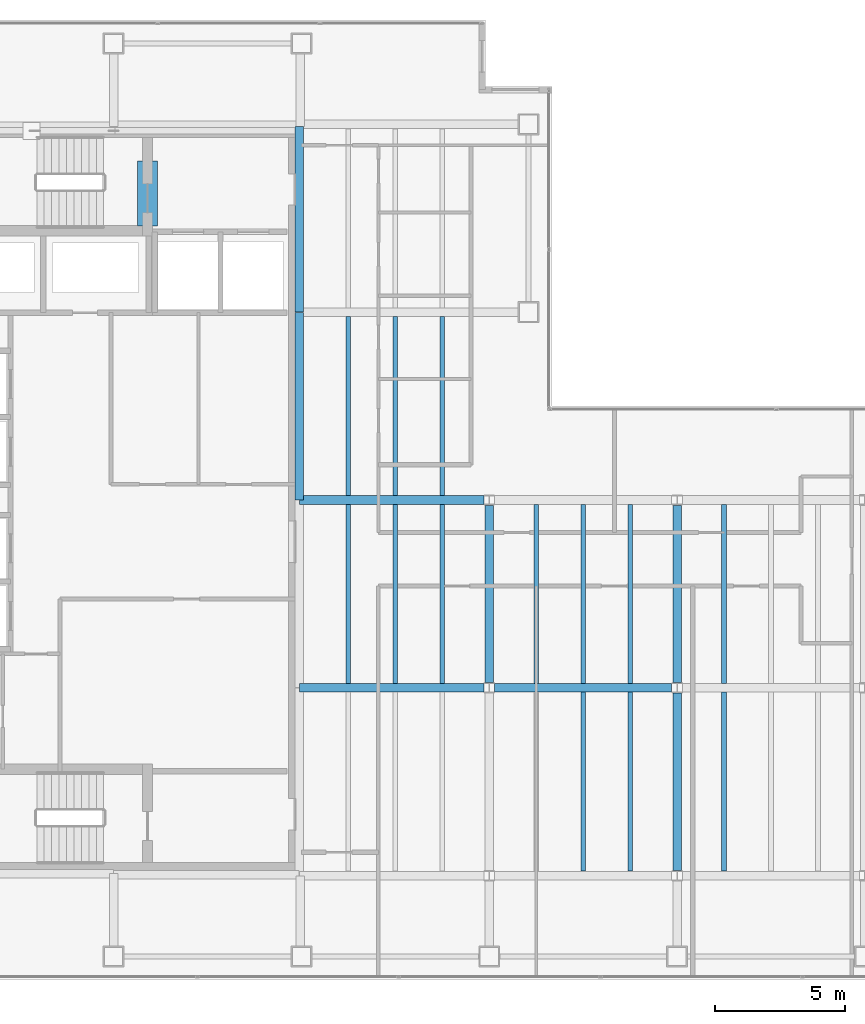
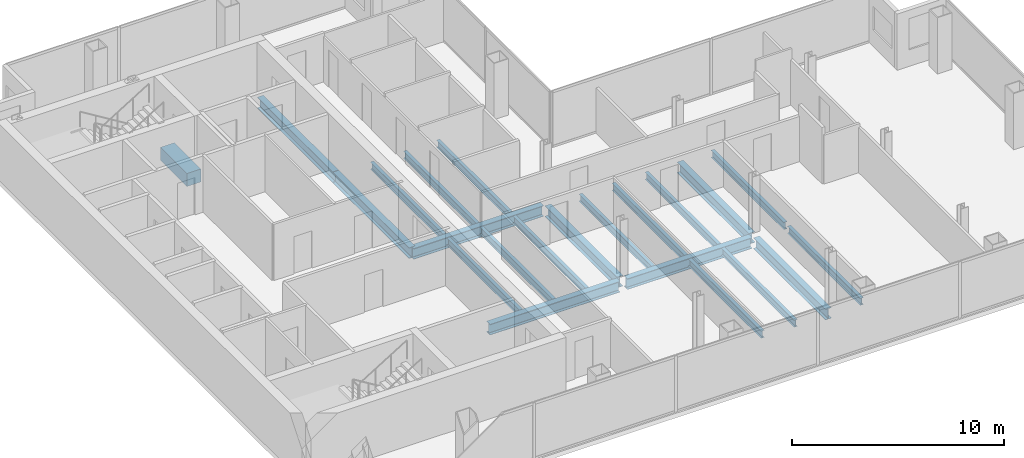
# One storey, part 7 of 23: 22 beams.
"""IFC4 building model written with IfcOpenShell, lengths in metres."""

from ifc_helpers import new_model, si_unit, direction, frame, origin, origin_2d, place, context, subcontext, project, spatial, rectangle, i_section, extrude, material, material_profile, profile_set, type_object, element, save


model = new_model("IFC4")

# Units and contexts
model_context = context("Model", 3, precision=1e-05, world=origin(), true_north=direction((0.0, 1.0)))
body_context = subcontext(model_context, "Body", "Model", "MODEL_VIEW")
ifc_project = project(units=[si_unit("LENGTHUNIT", "METRE"), si_unit("AREAUNIT", "SQUARE_METRE"), si_unit("VOLUMEUNIT", "CUBIC_METRE"), si_unit("PLANEANGLEUNIT", "RADIAN"), si_unit("MASSUNIT", "GRAM", prefix="KILO")], contexts=[model_context])

# Site, building, storey
site_placement = place(None, origin())
site = spatial("IfcSite", under=ifc_project, at=site_placement, CompositionType="ELEMENT")
building_placement = place(site_placement, origin())
building = spatial("IfcBuilding", under=site, at=building_placement, Name="Cobrela Telecom Tower", CompositionType="ELEMENT")
storey_placement = place(building_placement, frame((0.0, 0.0, 190.75)))
storey = spatial("IfcBuildingStorey", under=building, at=storey_placement, Name="L48", CompositionType="ELEMENT", Elevation=190.75)

# Beams
ifc_material_1 = material(Name="Concrete C40/50", Category="concrete")
ifc_material_profile_1 = material_profile(ifc_material_1, rectangle(XDim=0.75, YDim=0.75, at=origin_2d()), Name="RC 750x750")
ifc_profile_set_1 = profile_set([ifc_material_profile_1], Name="Concrete C40/50")
beam_type_1 = type_object("IfcBeamType", Name="BM-COUP-RC", PredefinedType="LINTEL", material=ifc_profile_set_1)
beam_1_placement = place(storey_placement, frame((8.5, 32.10009765625, -0.610107421875), z_axis=(0.0, 1.0, 0.0), x_axis=(-1.0, 0.0, 0.0)))
element("IfcBeam", 1, at=beam_1_placement, inside=storey, type_object=beam_type_1, Name="L48 Core Coupling Lintel Beam", PredefinedType="LINTEL", context=body_context, shape_type="SweptSolid", body=[
    extrude(rectangle(XDim=0.75, YDim=0.75, at=origin_2d()), origin(), (0.0, 0.0, 1.0), 2.5),
])
ifc_material_2 = material(Name="Steel ASTM A992 Grade 50", Category="steel")
ifc_material_profile_2 = material_profile(ifc_material_2, i_section(OverallWidth=0.327880859375, OverallDepth=0.6220703125, WebThickness=0.015380859375, FlangeThickness=0.0244140625, FilletRadius=0.014892578125, at=origin_2d()), Name="W24X131")
ifc_profile_set_2 = profile_set([ifc_material_profile_2], Name="Steel ASTM A992 Grade 50")
beam_type_2 = type_object("IfcBeamType", Name="BM-GIRD-06", PredefinedType="USERDEFINED", material=ifc_profile_set_2)
beam_2_placement = place(storey_placement, frame((14.324951171875, 14.39990234375, -0.571044921875), z_axis=(1.0, 0.0, 0.0), x_axis=(0.0, 1.0, 0.0)))
element("IfcBeam", 2, at=beam_2_placement, inside=storey, type_object=beam_type_2, Name="L48 Primary Girder X11", ObjectType="GIRDER", PredefinedType="USERDEFINED", context=body_context, shape_type="SweptSolid", body=[
    extrude(i_section(OverallWidth=0.327880859375, OverallDepth=0.6220703125, WebThickness=0.015380859375, FlangeThickness=0.0244140625, FilletRadius=0.014892578125, at=origin_2d()), origin(), (0.0, 0.0, 1.0), 7.070556640625),
])
beam_3_placement = place(storey_placement, frame((21.804443359375, 14.39990234375, -0.571044921875), z_axis=(1.0, 0.0, 0.0), x_axis=(0.0, 1.0, 0.0)))
element("IfcBeam", 3, at=beam_3_placement, inside=storey, type_object=beam_type_2, Name="L48 Primary Girder X12", ObjectType="GIRDER", PredefinedType="USERDEFINED", context=body_context, shape_type="SweptSolid", body=[
    extrude(i_section(OverallWidth=0.327880859375, OverallDepth=0.6220703125, WebThickness=0.015380859375, FlangeThickness=0.0244140625, FilletRadius=0.014892578125, at=origin_2d()), origin(), (0.0, 0.0, 1.0), 6.791015625),
])
beam_4_placement = place(storey_placement, frame((14.324951171875, 21.60009765625, -0.571044921875), z_axis=(1.0, 0.0, 0.0), x_axis=(0.0, 1.0, 0.0)))
element("IfcBeam", 4, at=beam_4_placement, inside=storey, type_object=beam_type_2, Name="L48 Primary Girder X15", ObjectType="GIRDER", PredefinedType="USERDEFINED", context=body_context, shape_type="SweptSolid", body=[
    extrude(i_section(OverallWidth=0.327880859375, OverallDepth=0.6220703125, WebThickness=0.015380859375, FlangeThickness=0.0244140625, FilletRadius=0.014892578125, at=origin_2d()), origin(), (0.0, 0.0, 1.0), 7.070556640625),
])
beam_5_placement = place(storey_placement, frame((14.320068359375, 21.60498046875, -0.571044921875), z_axis=(0.0, 1.0, 0.0), x_axis=(-1.0, 0.0, 0.0)))
element("IfcBeam", 5, at=beam_5_placement, inside=storey, type_object=beam_type_2, Name="L48 Primary Girder Y29", ObjectType="GIRDER", PredefinedType="USERDEFINED", context=body_context, shape_type="SweptSolid", body=[
    extrude(i_section(OverallWidth=0.327880859375, OverallDepth=0.6220703125, WebThickness=0.015380859375, FlangeThickness=0.0244140625, FilletRadius=0.014892578125, at=origin_2d()), origin(), (0.0, 0.0, 1.0), 7.18994140625),
])
beam_6_placement = place(storey_placement, frame((14.320068359375, 28.804931640625, -0.571044921875), z_axis=(0.0, 1.0, 0.0), x_axis=(-1.0, 0.0, 0.0)))
element("IfcBeam", 6, at=beam_6_placement, inside=storey, type_object=beam_type_2, Name="L48 Primary Girder Y30", ObjectType="GIRDER", PredefinedType="USERDEFINED", context=body_context, shape_type="SweptSolid", body=[
    extrude(i_section(OverallWidth=0.327880859375, OverallDepth=0.6220703125, WebThickness=0.015380859375, FlangeThickness=0.0244140625, FilletRadius=0.014892578125, at=origin_2d()), origin(), (0.0, 0.0, 1.0), 7.110107421875),
])
for number, where, z_axis, x_axis, name in (
    (7, (21.60009765625, 14.6044921875, -0.571044921875), (0.0, 1.0, 0.0), (-1.0, 0.0, 0.0), "L48 Primary Girder Y34"),
    (8, (28.800048828125, 7.404541015625, -0.571044921875), (0.0, 1.0, 0.0), (-1.0, 0.0, 0.0), "L48 Primary Girder Y37"),
    (9, (28.800048828125, 14.6044921875, -0.571044921875), (0.0, 1.0, 0.0), (-1.0, 0.0, 0.0), "L48 Primary Girder Y38"),
):
    element("IfcBeam", number, at=place(storey_placement, frame(where, z_axis=z_axis, x_axis=x_axis)), inside=storey, type_object=beam_type_2, Name=name, ObjectType="GIRDER", PredefinedType="USERDEFINED", context=body_context, shape_type="SweptSolid", body=[
        extrude(i_section(OverallWidth=0.327880859375, OverallDepth=0.6220703125, WebThickness=0.015380859375, FlangeThickness=0.0244140625, FilletRadius=0.014892578125, at=origin_2d()), origin(), (0.0, 0.0, 1.0), 6.791015625),
    ])
ifc_material_profile_3 = material_profile(ifc_material_2, i_section(OverallWidth=0.179931640625, OverallDepth=0.4169921875, WebThickness=0.010986328125, FlangeThickness=0.01806640625, FilletRadius=0.011962890625, at=origin_2d()), Name="W16X57")
ifc_profile_set_3 = profile_set([ifc_material_profile_3], Name="Steel ASTM A992 Grade 50")
beam_type_3 = type_object("IfcBeamType", Name="BM-JOIST-04", PredefinedType="JOIST", material=ifc_profile_set_3)
beam_7_placement = place(storey_placement, frame((16.199951171875, 14.569091796875, -0.468505859375), z_axis=(0.0, 1.0, 0.0), x_axis=(-1.0, 0.0, 0.0)))
element("IfcBeam", 10, at=beam_7_placement, inside=storey, type_object=beam_type_3, Name="L48 Secondary Composite Floor Beam J02", PredefinedType="JOIST", context=body_context, shape_type="SweptSolid", body=[
    extrude(i_section(OverallWidth=0.179931640625, OverallDepth=0.4169921875, WebThickness=0.010986328125, FlangeThickness=0.01806640625, FilletRadius=0.011962890625, at=origin_2d()), origin(), (0.0, 0.0, 1.0), 6.86181640625),
])
beam_8_placement = place(storey_placement, frame((16.199951171875, 21.76904296875, -0.468505859375), z_axis=(0.0, 1.0, 0.0), x_axis=(-1.0, 0.0, 0.0)))
element("IfcBeam", 11, at=beam_8_placement, inside=storey, type_object=beam_type_3, Name="L48 Secondary Composite Floor Beam J03", PredefinedType="JOIST", context=body_context, shape_type="SweptSolid", body=[
    extrude(i_section(OverallWidth=0.179931640625, OverallDepth=0.4169921875, WebThickness=0.010986328125, FlangeThickness=0.01806640625, FilletRadius=0.011962890625, at=origin_2d()), origin(), (0.0, 0.0, 1.0), 6.862060546875),
])
beam_9_placement = place(storey_placement, frame((18.0, 14.569091796875, -0.468505859375), z_axis=(0.0, 1.0, 0.0), x_axis=(-1.0, 0.0, 0.0)))
element("IfcBeam", 12, at=beam_9_placement, inside=storey, type_object=beam_type_3, Name="L48 Secondary Composite Floor Beam J06", PredefinedType="JOIST", context=body_context, shape_type="SweptSolid", body=[
    extrude(i_section(OverallWidth=0.179931640625, OverallDepth=0.4169921875, WebThickness=0.010986328125, FlangeThickness=0.01806640625, FilletRadius=0.011962890625, at=origin_2d()), origin(), (0.0, 0.0, 1.0), 6.86181640625),
])
beam_10_placement = place(storey_placement, frame((18.0, 21.76904296875, -0.468505859375), z_axis=(0.0, 1.0, 0.0), x_axis=(-1.0, 0.0, 0.0)))
element("IfcBeam", 13, at=beam_10_placement, inside=storey, type_object=beam_type_3, Name="L48 Secondary Composite Floor Beam J07", PredefinedType="JOIST", context=body_context, shape_type="SweptSolid", body=[
    extrude(i_section(OverallWidth=0.179931640625, OverallDepth=0.4169921875, WebThickness=0.010986328125, FlangeThickness=0.01806640625, FilletRadius=0.011962890625, at=origin_2d()), origin(), (0.0, 0.0, 1.0), 6.862060546875),
])
beam_11_placement = place(storey_placement, frame((19.800048828125, 14.569091796875, -0.468505859375), z_axis=(0.0, 1.0, 0.0), x_axis=(-1.0, 0.0, 0.0)))
element("IfcBeam", 14, at=beam_11_placement, inside=storey, type_object=beam_type_3, Name="L48 Secondary Composite Floor Beam J10", PredefinedType="JOIST", context=body_context, shape_type="SweptSolid", body=[
    extrude(i_section(OverallWidth=0.179931640625, OverallDepth=0.4169921875, WebThickness=0.010986328125, FlangeThickness=0.01806640625, FilletRadius=0.011962890625, at=origin_2d()), origin(), (0.0, 0.0, 1.0), 6.86181640625),
])
beam_12_placement = place(storey_placement, frame((19.800048828125, 21.76904296875, -0.468505859375), z_axis=(0.0, 1.0, 0.0), x_axis=(-1.0, 0.0, 0.0)))
element("IfcBeam", 15, at=beam_12_placement, inside=storey, type_object=beam_type_3, Name="L48 Secondary Composite Floor Beam J11", PredefinedType="JOIST", context=body_context, shape_type="SweptSolid", body=[
    extrude(i_section(OverallWidth=0.179931640625, OverallDepth=0.4169921875, WebThickness=0.010986328125, FlangeThickness=0.01806640625, FilletRadius=0.011962890625, at=origin_2d()), origin(), (0.0, 0.0, 1.0), 6.862060546875),
])
beam_13_placement = place(storey_placement, frame((23.39990234375, 14.569091796875, -0.468505859375), z_axis=(0.0, 1.0, 0.0), x_axis=(-1.0, 0.0, 0.0)))
element("IfcBeam", 16, at=beam_13_placement, inside=storey, type_object=beam_type_3, Name="L48 Secondary Composite Floor Beam J14", PredefinedType="JOIST", context=body_context, shape_type="SweptSolid", body=[
    extrude(i_section(OverallWidth=0.179931640625, OverallDepth=0.4169921875, WebThickness=0.010986328125, FlangeThickness=0.01806640625, FilletRadius=0.011962890625, at=origin_2d()), origin(), (0.0, 0.0, 1.0), 6.86181640625),
])
beam_14_placement = place(storey_placement, frame((25.199951171875, 7.368896484375, -0.468505859375), z_axis=(0.0, 1.0, 0.0), x_axis=(-1.0, 0.0, 0.0)))
element("IfcBeam", 17, at=beam_14_placement, inside=storey, type_object=beam_type_3, Name="L48 Secondary Composite Floor Beam J15", PredefinedType="JOIST", context=body_context, shape_type="SweptSolid", body=[
    extrude(i_section(OverallWidth=0.179931640625, OverallDepth=0.4169921875, WebThickness=0.010986328125, FlangeThickness=0.01806640625, FilletRadius=0.011962890625, at=origin_2d()), origin(), (0.0, 0.0, 1.0), 6.862060546875),
])
beam_15_placement = place(storey_placement, frame((25.199951171875, 14.569091796875, -0.468505859375), z_axis=(0.0, 1.0, 0.0), x_axis=(-1.0, 0.0, 0.0)))
element("IfcBeam", 18, at=beam_15_placement, inside=storey, type_object=beam_type_3, Name="L48 Secondary Composite Floor Beam J16", PredefinedType="JOIST", context=body_context, shape_type="SweptSolid", body=[
    extrude(i_section(OverallWidth=0.179931640625, OverallDepth=0.4169921875, WebThickness=0.010986328125, FlangeThickness=0.01806640625, FilletRadius=0.011962890625, at=origin_2d()), origin(), (0.0, 0.0, 1.0), 6.86181640625),
])
beam_16_placement = place(storey_placement, frame((27.0, 7.368896484375, -0.468505859375), z_axis=(0.0, 1.0, 0.0), x_axis=(-1.0, 0.0, 0.0)))
element("IfcBeam", 19, at=beam_16_placement, inside=storey, type_object=beam_type_3, Name="L48 Secondary Composite Floor Beam J17", PredefinedType="JOIST", context=body_context, shape_type="SweptSolid", body=[
    extrude(i_section(OverallWidth=0.179931640625, OverallDepth=0.4169921875, WebThickness=0.010986328125, FlangeThickness=0.01806640625, FilletRadius=0.011962890625, at=origin_2d()), origin(), (0.0, 0.0, 1.0), 6.862060546875),
])
beam_17_placement = place(storey_placement, frame((27.0, 14.569091796875, -0.468505859375), z_axis=(0.0, 1.0, 0.0), x_axis=(-1.0, 0.0, 0.0)))
element("IfcBeam", 20, at=beam_17_placement, inside=storey, type_object=beam_type_3, Name="L48 Secondary Composite Floor Beam J18", PredefinedType="JOIST", context=body_context, shape_type="SweptSolid", body=[
    extrude(i_section(OverallWidth=0.179931640625, OverallDepth=0.4169921875, WebThickness=0.010986328125, FlangeThickness=0.01806640625, FilletRadius=0.011962890625, at=origin_2d()), origin(), (0.0, 0.0, 1.0), 6.86181640625),
])
beam_18_placement = place(storey_placement, frame((30.60009765625, 7.368896484375, -0.468505859375), z_axis=(0.0, 1.0, 0.0), x_axis=(-1.0, 0.0, 0.0)))
element("IfcBeam", 21, at=beam_18_placement, inside=storey, type_object=beam_type_3, Name="L48 Secondary Composite Floor Beam J19", PredefinedType="JOIST", context=body_context, shape_type="SweptSolid", body=[
    extrude(i_section(OverallWidth=0.179931640625, OverallDepth=0.4169921875, WebThickness=0.010986328125, FlangeThickness=0.01806640625, FilletRadius=0.011962890625, at=origin_2d()), origin(), (0.0, 0.0, 1.0), 6.862060546875),
])
beam_19_placement = place(storey_placement, frame((30.60009765625, 14.569091796875, -0.468505859375), z_axis=(0.0, 1.0, 0.0), x_axis=(-1.0, 0.0, 0.0)))
element("IfcBeam", 22, at=beam_19_placement, inside=storey, type_object=beam_type_3, Name="L48 Secondary Composite Floor Beam J20", PredefinedType="JOIST", context=body_context, shape_type="SweptSolid", body=[
    extrude(i_section(OverallWidth=0.179931640625, OverallDepth=0.4169921875, WebThickness=0.010986328125, FlangeThickness=0.01806640625, FilletRadius=0.011962890625, at=origin_2d()), origin(), (0.0, 0.0, 1.0), 6.86181640625),
])

save(model, "model.ifc")
